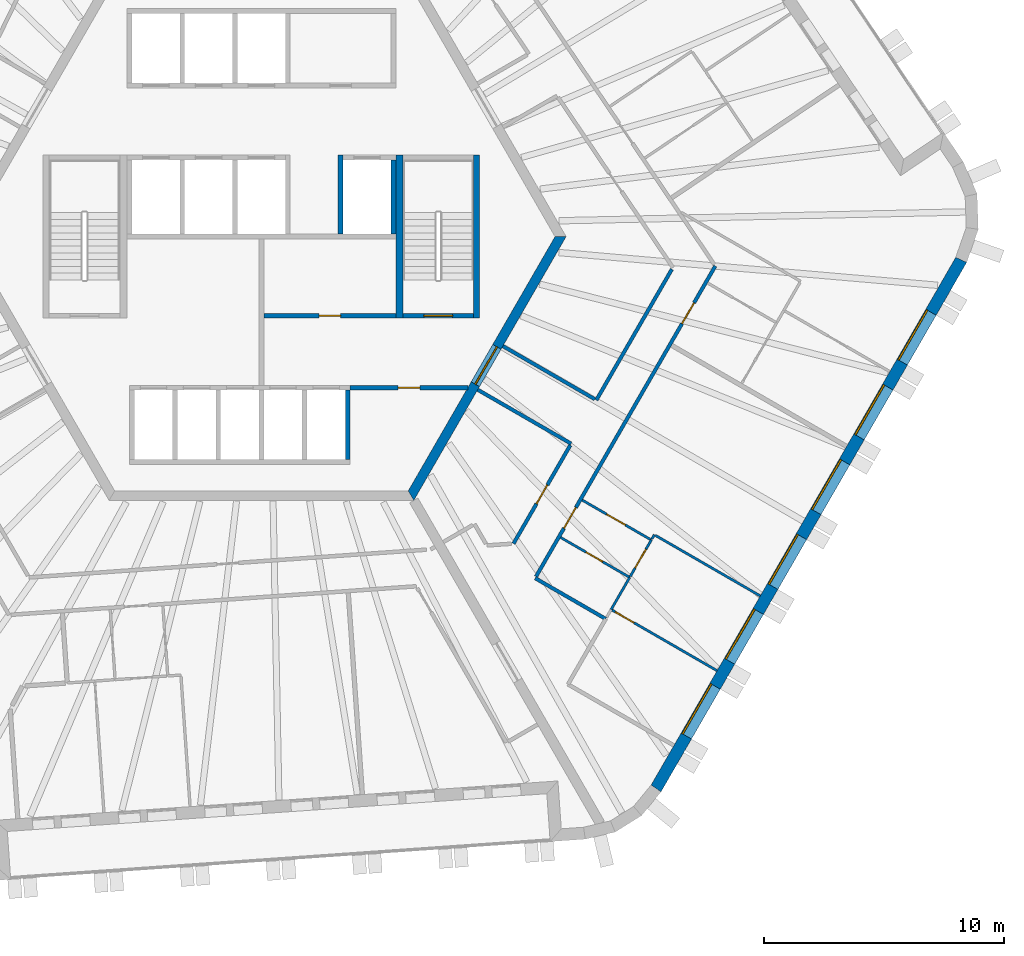
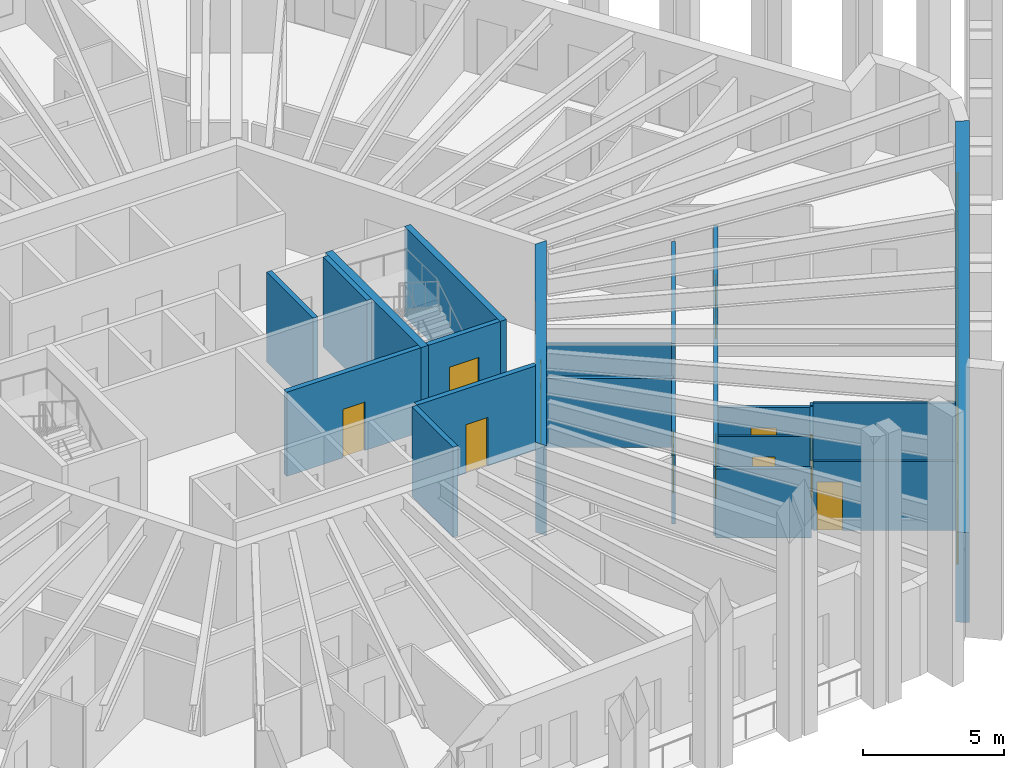
# One storey, part 6 of 12: 23 walls, 11 doors, 6 windows, 17 openings.
"""IFC4 building model written with IfcOpenShell, lengths in metres."""

from ifc_helpers import new_model, si_unit, direction, frame, frame_2d, origin, place, context, subcontext, project, spatial, polyline, rectangle, outline, extrude, material, layer, layer_set, type_object, element, fill, save


model = new_model("IFC4")

# Units and contexts
model_context = context("Model", 3, precision=1e-05, world=origin(), true_north=direction((0.0, 1.0)))
body_context = subcontext(model_context, "Body", "Model", "MODEL_VIEW")
ifc_project = project(units=[si_unit("LENGTHUNIT", "METRE"), si_unit("AREAUNIT", "SQUARE_METRE"), si_unit("VOLUMEUNIT", "CUBIC_METRE"), si_unit("PLANEANGLEUNIT", "RADIAN"), si_unit("MASSUNIT", "GRAM", prefix="KILO")], contexts=[model_context])

# Site, building, storey
site_placement = place(None, origin())
site = spatial("IfcSite", under=ifc_project, at=site_placement, CompositionType="ELEMENT")
building_placement = place(site_placement, origin())
building = spatial("IfcBuilding", under=site, at=building_placement, Name="Tarnside Tower", CompositionType="ELEMENT")
storey_placement = place(building_placement, frame((0.0, 0.0, 291.300048828125)))
storey = spatial("IfcBuildingStorey", under=building, at=storey_placement, Name="L70", CompositionType="ELEMENT", Elevation=291.300048828125)

# Wall, opening, door
ifc_material_1 = material(Name="Gypsum board partition on steel studs", Category="steel")
ifc_layer_1 = layer(ifc_material_1, 0.10009765625)
ifc_layer_set_1 = layer_set([ifc_layer_1], Name="Bathroom wall 100")
wall_type_1 = type_object("IfcWallType", Name="Bathroom wall 100", PredefinedType="PARTITIONING", material=ifc_layer_set_1)
wall_1_placement = place(storey_placement, frame((12.47412109375, -12.544189453125, 0.0), z_axis=(0.0, 0.0, 1.0), x_axis=(0.866002163101, -0.500040251884, 0.0)))
wall_1 = element("IfcWall", 1, at=wall_1_placement, inside=storey, type_object=wall_type_1, Name="Bathroom wall 23144", PredefinedType="PARTITIONING", context=body_context, shape_type="SweptSolid", body=[
    extrude(rectangle(XDim=3.324951171875, YDim=0.10009765625, at=frame_2d((1.66259765625, 0.0))), origin(), (0.0, 0.0, 1.0), 2.98779296875),
])
opening_1_placement = place(wall_1_placement, frame((1.22509765625, 0.0, 0.0)))
opening_1 = element("IfcOpeningElement", 2, at=opening_1_placement, cuts=wall_1, Name="Opening D-B1", PredefinedType="OPENING", context=body_context, shape_type="SweptSolid", body=[
    extrude(rectangle(XDim=0.800048828125, YDim=2.10009765625, at=frame_2d((0.39990234375, 1.050048828125))), frame((0.0, 0.06005859375, 0.0), z_axis=(0.0, -1.0, 0.0), x_axis=(1.0, 0.0, 0.0)), (0.0, 0.0, 1.0), 0.1201171875),
])
ifc_material_2 = material(Name="Timber door leaf", Category="wood")
door_type_1 = type_object("IfcDoorType", Name="Bathroom door 800", OperationType="NOTDEFINED", PredefinedType="DOOR", material=ifc_material_2)
door_1_placement = place(opening_1_placement, origin())
door_1 = element("IfcDoor", 3, at=door_1_placement, inside=storey, type_object=door_type_1, Name="Bathroom door 23040", OperationType="SINGLE_SWING_RIGHT", OverallHeight=2.10009765625, OverallWidth=0.800048828125, PredefinedType="DOOR", context=body_context, shape_type="SweptSolid", body=[
    extrude(rectangle(XDim=0.800048828125, YDim=2.10009765625, at=frame_2d((0.39990234375, 1.050048828125))), frame((0.0, 0.02490234375, 0.0), z_axis=(0.0, -1.0, 0.0), x_axis=(1.0, 0.0, 0.0)), (0.0, 0.0, 1.0), 0.050048828125),
])
fill(opening_1, door_1)

# Wall
wall_2_placement = place(storey_placement, frame((14.579345703125, -15.5478515625, 0.0), z_axis=(0.0, 0.0, 1.0), x_axis=(0.499949632511, 0.866054481515, 0.0)))
element("IfcWall", 4, at=wall_2_placement, inside=storey, type_object=wall_type_1, Name="Bathroom wall 23147", PredefinedType="PARTITIONING", context=body_context, shape_type="SweptSolid", body=[
    extrude(rectangle(XDim=1.550537109375, YDim=0.10009765625, at=frame_2d((0.775390625, 0.0))), origin(), (0.0, 0.0, 1.0), 2.98779296875),
])

# Wall, opening, door
ifc_material_3 = material(Name="Concrete C40/50", Category="concrete")
ifc_layer_2 = layer(ifc_material_3, 0.199951171875)
ifc_layer_set_2 = layer_set([ifc_layer_2], Name="Core room partition 200 C40/50")
wall_type_2 = type_object("IfcWallType", Name="Core room partition 200 C40/50", PredefinedType="PARTITIONING", material=ifc_layer_set_2)
wall_3_placement = place(storey_placement, frame((0.10009765625, -3.300048828125, 0.0), z_axis=(0.0, 0.0, 1.0), x_axis=(1.0, 0.0, 0.0)))
wall_3 = element("IfcWall", 5, at=wall_3_placement, inside=storey, type_object=wall_type_2, Name="L70 core partition R3S1", PredefinedType="PARTITIONING", context=body_context, shape_type="SweptSolid", body=[
    extrude(rectangle(XDim=5.5, YDim=0.199951171875, at=frame_2d((2.75, 0.0))), origin(), (0.0, 0.0, 1.0), 3.64990234375),
])
opening_2_placement = place(wall_3_placement, frame((2.300048828125, 0.0, 0.0)))
opening_2 = element("IfcOpeningElement", 6, at=opening_2_placement, cuts=wall_3, Name="Opening CD-room", PredefinedType="OPENING", context=body_context, shape_type="SweptSolid", body=[
    extrude(rectangle(XDim=0.89990234375, YDim=2.10009765625, at=frame_2d((0.449951171875, 1.050048828125))), frame((0.0, 0.10986328125, 0.0), z_axis=(0.0, -1.0, 0.0), x_axis=(1.0, 0.0, 0.0)), (0.0, 0.0, 1.0), 0.219970703125),
])
ifc_material_4 = material(Name="Steel fire door", Category="steel")
door_type_2 = type_object("IfcDoorType", Name="Room door FD60 900x2100", OperationType="NOTDEFINED", PredefinedType="DOOR", material=ifc_material_4)
door_2_placement = place(opening_2_placement, origin())
door_2 = element("IfcDoor", 7, at=door_2_placement, inside=storey, type_object=door_type_2, Name="L70 core room door SR1", OperationType="SINGLE_SWING_LEFT", OverallHeight=2.10009765625, OverallWidth=0.89990234375, PredefinedType="DOOR", context=body_context, shape_type="SweptSolid", body=[
    extrude(rectangle(XDim=0.89990234375, YDim=2.10009765625, at=frame_2d((0.449951171875, 1.050048828125))), frame((0.0, 0.02490234375, 0.0), z_axis=(0.0, -1.0, 0.0), x_axis=(1.0, 0.0, 0.0)), (0.0, 0.0, 1.0), 0.050048828125),
])
fill(opening_2, door_2)

wall_4_placement = place(storey_placement, frame((3.699951171875, -6.300048828125, 0.0), z_axis=(0.0, 0.0, 1.0), x_axis=(1.0, 0.0, 0.0)))
wall_4 = element("IfcWall", 8, at=wall_4_placement, inside=storey, type_object=wall_type_2, Name="L70 core partition R4X", PredefinedType="PARTITIONING", context=body_context, shape_type="SweptSolid", body=[
    extrude(rectangle(XDim=4.902587890625, YDim=0.199951171875, at=frame_2d((2.451171875, 0.0))), origin(), (0.0, 0.0, 1.0), 3.64990234375),
])
opening_3_placement = place(wall_4_placement, frame((2.001220703125, 0.0, 0.0)))
opening_3 = element("IfcOpeningElement", 9, at=opening_3_placement, cuts=wall_4, Name="Opening CD-room", PredefinedType="OPENING", context=body_context, shape_type="SweptSolid", body=[
    extrude(rectangle(XDim=0.89990234375, YDim=2.10009765625, at=frame_2d((0.449951171875, 1.050048828125))), frame((0.0, 0.10986328125, 0.0), z_axis=(0.0, -1.0, 0.0), x_axis=(1.0, 0.0, 0.0)), (0.0, 0.0, 1.0), 0.219970703125),
])
door_3_placement = place(opening_3_placement, origin())
door_3 = element("IfcDoor", 10, at=door_3_placement, inside=storey, type_object=door_type_2, Name="L70 core room door RX", OperationType="SINGLE_SWING_LEFT", OverallHeight=2.10009765625, OverallWidth=0.89990234375, PredefinedType="DOOR", context=body_context, shape_type="SweptSolid", body=[
    extrude(rectangle(XDim=0.89990234375, YDim=2.10009765625, at=frame_2d((0.449951171875, 1.050048828125))), frame((0.0, 0.02490234375, 0.0), z_axis=(0.0, -1.0, 0.0), x_axis=(1.0, 0.0, 0.0)), (0.0, 0.0, 1.0), 0.050048828125),
])
fill(opening_3, door_3)

ifc_material_5 = material(Name="Concrete C60/75", Category="concrete")
ifc_layer_3 = layer(ifc_material_5, 0.39990234375)
ifc_layer_set_3 = layer_set([ifc_layer_3], Name="Core wall Z3 400 C60/75")
wall_type_3 = type_object("IfcWallType", Name="Core wall Z3 400 C60/75", PredefinedType="SHEAR", material=ifc_layer_set_3)
wall_5_placement = place(storey_placement, frame((6.2353515625, -10.800048828125, -0.150146484375), z_axis=(0.0, 0.0, 1.0), x_axis=(0.499996419489, 0.866027470984, 0.0)))
wall_5 = element("IfcWall", 11, at=wall_5_placement, inside=storey, type_object=wall_type_3, Name="L70 core wall face 5", PredefinedType="SHEAR", context=body_context, shape_type="SweptSolid", body=[
    extrude(outline(polyline([(-0.115478515625, -0.199951171875), (12.586181640625, -0.199951171875), (12.355224609375, 0.199951171875), (0.115478515625, 0.199951171875), (-0.115478515625, -0.199951171875)])), origin(), (0.0, 0.0, 1.0), 3.900146484375),
])
opening_4_placement = place(wall_5_placement, frame((5.3642578125, 0.0, 0.14990234375)))
opening_4 = element("IfcOpeningElement", 12, at=opening_4_placement, cuts=wall_5, Name="Opening CD-FFL", PredefinedType="OPENING", context=body_context, shape_type="SweptSolid", body=[
    extrude(rectangle(XDim=1.800048828125, YDim=2.39990234375, at=frame_2d((0.89990234375, 1.199951171875))), frame((0.0, 0.2099609375, 0.0), z_axis=(0.0, -1.0, 0.0), x_axis=(1.0, 0.0, 0.0)), (0.0, 0.0, 1.0), 0.419921875),
])
door_type_3 = type_object("IfcDoorType", Name="Firefighting lobby double door FD60S 1800x2400", OperationType="NOTDEFINED", PredefinedType="DOOR", material=ifc_material_4)
door_4_placement = place(opening_4_placement, origin())
door_4 = element("IfcDoor", 13, at=door_4_placement, inside=storey, type_object=door_type_3, Name="L70 core door P4", OperationType="DOUBLE_DOOR_SINGLE_SWING", OverallHeight=2.39990234375, OverallWidth=1.800048828125, PredefinedType="DOOR", context=body_context, shape_type="SweptSolid", body=[
    extrude(rectangle(XDim=1.800048828125, YDim=2.39990234375, at=frame_2d((0.89990234375, 1.199951171875))), frame((0.0, 0.02490234375, 0.0), z_axis=(0.0, -1.0, 0.0), x_axis=(1.0, 0.0, 0.0)), (0.0, 0.0, 1.0), 0.050048828125),
])
fill(opening_4, door_4)

# Wall, openings, doors
ifc_layer_4 = layer(ifc_material_1, 0.14990234375)
ifc_layer_set_4 = layer_set([ifc_layer_4], Name="Corridor wall 150 EI 60")
wall_type_4 = type_object("IfcWallType", Name="Corridor wall 150 EI 60", PredefinedType="PARTITIONING", material=ifc_layer_set_4)
wall_6_placement = place(storey_placement, frame((11.446533203125, -14.173828125, 0.0), z_axis=(0.0, 0.0, 1.0), x_axis=(0.500003306199, 0.866023494941, 0.0)))
wall_6 = element("IfcWall", 14, at=wall_6_placement, inside=storey, type_object=wall_type_4, Name="Corridor wall 23053", PredefinedType="PARTITIONING", context=body_context, shape_type="SweptSolid", body=[
    extrude(rectangle(XDim=14.94921875, YDim=0.14990234375, at=frame_2d((7.474609375, 0.0))), origin(), (0.0, 0.0, 1.0), 2.98779296875),
])
opening_5_placement = place(wall_6_placement, frame((2.324951171875, 0.0, 0.0)))
opening_5 = element("IfcOpeningElement", 15, at=opening_5_placement, cuts=wall_6, Name="Opening D-E1", PredefinedType="OPENING", context=body_context, shape_type="SweptSolid", body=[
    extrude(rectangle(XDim=1.0, YDim=2.10009765625, at=frame_2d((0.5, 1.050048828125))), frame((0.0, 0.0849609375, 0.0), z_axis=(0.0, -1.0, 0.0), x_axis=(1.0, 0.0, 0.0)), (0.0, 0.0, 1.0), 0.169921875),
])
opening_6_placement = place(wall_6_placement, frame((12.176513671875, 0.0, 0.0)))
opening_6 = element("IfcOpeningElement", 16, at=opening_6_placement, cuts=wall_6, Name="Opening D-E1", PredefinedType="OPENING", context=body_context, shape_type="SweptSolid", body=[
    extrude(rectangle(XDim=1.0, YDim=2.10009765625, at=frame_2d((0.5, 1.050048828125))), frame((0.0, 0.0849609375, 0.0), z_axis=(0.0, -1.0, 0.0), x_axis=(1.0, 0.0, 0.0)), (0.0, 0.0, 1.0), 0.169921875),
])
door_type_4 = type_object("IfcDoorType", Name="Unit entrance door 1000 FD30S", OperationType="NOTDEFINED", PredefinedType="DOOR", material=ifc_material_2)
door_5_placement = place(opening_5_placement, origin())
door_5 = element("IfcDoor", 17, at=door_5_placement, inside=storey, type_object=door_type_4, Name="Unit door 23039", OperationType="SINGLE_SWING_LEFT", OverallHeight=2.10009765625, OverallWidth=1.0, PredefinedType="DOOR", context=body_context, shape_type="SweptSolid", body=[
    extrude(rectangle(XDim=1.0, YDim=2.10009765625, at=frame_2d((0.5, 1.050048828125))), frame((0.0, 0.02490234375, 0.0), z_axis=(0.0, -1.0, 0.0), x_axis=(1.0, 0.0, 0.0)), (0.0, 0.0, 1.0), 0.050048828125),
])
fill(opening_5, door_5)
door_6_placement = place(opening_6_placement, origin())
door_6 = element("IfcDoor", 18, at=door_6_placement, inside=storey, type_object=door_type_4, Name="Unit door 23046", OperationType="SINGLE_SWING_LEFT", OverallHeight=2.10009765625, OverallWidth=1.0, PredefinedType="DOOR", context=body_context, shape_type="SweptSolid", body=[
    extrude(rectangle(XDim=1.0, YDim=2.10009765625, at=frame_2d((0.5, 1.050048828125))), frame((0.0, 0.02490234375, 0.0), z_axis=(0.0, -1.0, 0.0), x_axis=(1.0, 0.0, 0.0)), (0.0, 0.0, 1.0), 0.050048828125),
])
fill(opening_6, door_6)

# Walls
wall_7_placement = place(storey_placement, frame((14.353515625, -15.938720703125, 0.0), z_axis=(0.0, 0.0, 1.0), x_axis=(-0.866020560687, 0.500008388397, 0.0)))
element("IfcWall", 19, at=wall_7_placement, inside=storey, type_object=wall_type_4, Name="Corridor wall 23055", PredefinedType="PARTITIONING", context=body_context, shape_type="SweptSolid", body=[
    extrude(rectangle(XDim=3.39990234375, YDim=0.14990234375, at=frame_2d((1.699951171875, 0.0))), origin(), (0.0, 0.0, 1.0), 2.98779296875),
])
wall_8_placement = place(storey_placement, frame((17.11181640625, -1.361572265625, 0.0), z_axis=(0.0, 0.0, 1.0), x_axis=(-0.49999985423, -0.866025487945, 0.0)))
element("IfcWall", 20, at=wall_8_placement, inside=storey, type_object=wall_type_4, Name="Corridor wall 23071", PredefinedType="PARTITIONING", context=body_context, shape_type="SweptSolid", body=[
    extrude(rectangle(XDim=6.2978515625, YDim=0.14990234375, at=frame_2d((3.14892578125, 0.0))), origin(), (0.0, 0.0, 1.0), 2.98779296875),
])
wall_9_placement = place(storey_placement, frame((13.89794921875, -6.778076171875, 0.0), z_axis=(0.0, 0.0, 1.0), x_axis=(-0.866041342403, 0.499972392486, 0.0)))
element("IfcWall", 21, at=wall_9_placement, inside=storey, type_object=wall_type_4, Name="Corridor wall 23072", PredefinedType="PARTITIONING", context=body_context, shape_type="SweptSolid", body=[
    extrude(rectangle(XDim=4.425048828125, YDim=0.14990234375, at=frame_2d((2.21240234375, 0.0))), origin(), (0.0, 0.0, 1.0), 2.98779296875),
])
wall_10_placement = place(storey_placement, frame((9.015625, -6.38427734375, 0.0), z_axis=(0.0, 0.0, 1.0), x_axis=(0.866031096941, -0.499990139034, 0.0)))
element("IfcWall", 22, at=wall_10_placement, inside=storey, type_object=wall_type_4, Name="Corridor wall 23073", PredefinedType="PARTITIONING", context=body_context, shape_type="SweptSolid", body=[
    extrude(rectangle(XDim=4.5, YDim=0.14990234375, at=frame_2d((2.25, 0.0))), origin(), (0.0, 0.0, 1.0), 2.98779296875),
])

# Wall, opening, door
wall_11_placement = place(storey_placement, frame((12.875244140625, -8.69921875, 0.0), z_axis=(0.0, 0.0, 1.0), x_axis=(-0.49999482868, -0.866028389427, 0.0)))
wall_11 = element("IfcWall", 23, at=wall_11_placement, inside=storey, type_object=wall_type_4, Name="Corridor wall 23074", PredefinedType="PARTITIONING", context=body_context, shape_type="SweptSolid", body=[
    extrude(rectangle(XDim=4.73291015625, YDim=0.14990234375, at=frame_2d((2.366455078125, 0.0))), origin(), (0.0, 0.0, 1.0), 2.98779296875),
])
opening_7_placement = place(wall_11_placement, frame((1.91650390625, 0.0, 0.0)))
opening_7 = element("IfcOpeningElement", 24, at=opening_7_placement, cuts=wall_11, Name="Opening D-S1", PredefinedType="OPENING", context=body_context, shape_type="SweptSolid", body=[
    extrude(rectangle(XDim=0.89990234375, YDim=2.10009765625, at=frame_2d((0.449951171875, 1.050048828125))), frame((0.0, 0.0849609375, 0.0), z_axis=(0.0, -1.0, 0.0), x_axis=(1.0, 0.0, 0.0)), (0.0, 0.0, 1.0), 0.169921875),
])
door_type_5 = type_object("IfcDoorType", Name="Service room door 900 FD30S", OperationType="NOTDEFINED", PredefinedType="DOOR", material=ifc_material_2)
door_7_placement = place(opening_7_placement, origin())
door_7 = element("IfcDoor", 25, at=door_7_placement, inside=storey, type_object=door_type_5, Name="Service door 23063", OperationType="SINGLE_SWING_LEFT", OverallHeight=2.10009765625, OverallWidth=0.89990234375, PredefinedType="DOOR", context=body_context, shape_type="SweptSolid", body=[
    extrude(rectangle(XDim=0.89990234375, YDim=2.10009765625, at=frame_2d((0.449951171875, 1.050048828125))), frame((0.0, 0.02490234375, 0.0), z_axis=(0.0, -1.0, 0.0), x_axis=(1.0, 0.0, 0.0)), (0.0, 0.0, 1.0), 0.050048828125),
])
fill(opening_7, door_7)

# Walls
ifc_layer_5 = layer(ifc_material_3, 0.199951171875)
ifc_layer_set_5 = layer_set([ifc_layer_5], Name="Lift shaft wall 200 C40/50")
wall_type_5 = type_object("IfcWallType", Name="Lift shaft wall 200 C40/50", PredefinedType="SHEAR", material=ifc_layer_set_5)
wall_12_placement = place(storey_placement, frame((3.300048828125, 0.10009765625, -0.25), z_axis=(0.0, 0.0, 1.0), x_axis=(0.0, 1.0, 0.0)))
element("IfcWall", 26, at=wall_12_placement, inside=storey, type_object=wall_type_5, Name="L70 lift shaft partition R25", PredefinedType="SHEAR", context=body_context, shape_type="SweptSolid", body=[
    extrude(rectangle(XDim=3.2998046875, YDim=0.199951171875, at=frame_2d((1.64990234375, 0.0))), origin(), (0.0, 0.0, 1.0), 3.89990234375),
])
wall_13_placement = place(storey_placement, frame((5.5, 0.10009765625, -0.25), z_axis=(0.0, 0.0, 1.0), x_axis=(0.0, 1.0, 0.0)))
element("IfcWall", 27, at=wall_13_placement, inside=storey, type_object=wall_type_5, Name="L70 lift shaft partition R26", PredefinedType="SHEAR", context=body_context, shape_type="SweptSolid", body=[
    extrude(rectangle(XDim=3.099853515625, YDim=0.199951171875, at=frame_2d((1.5498046875, 0.0))), origin(), (0.0, 0.0, 1.0), 3.89990234375),
])
wall_14_placement = place(storey_placement, frame((3.60009765625, -9.300048828125, -0.25), z_axis=(0.0, 0.0, 1.0), x_axis=(0.0, 1.0, 0.0)))
element("IfcWall", 28, at=wall_14_placement, inside=storey, type_object=wall_type_5, Name="L70 lift shaft partition R46", PredefinedType="SHEAR", context=body_context, shape_type="SweptSolid", body=[
    extrude(rectangle(XDim=2.900146484375, YDim=0.199951171875, at=frame_2d((1.4501953125, 0.0))), origin(), (0.0, 0.0, 1.0), 3.89990234375),
])

# Wall, opening, door
wall_15_placement = place(storey_placement, frame((5.89990234375, -3.300048828125, -0.25), z_axis=(0.0, 0.0, 1.0), x_axis=(1.0, 0.0, 0.0)))
wall_15 = element("IfcWall", 29, at=wall_15_placement, inside=storey, type_object=wall_type_5, Name="L70 stair 1 enclosure cap wall s", PredefinedType="SHEAR", context=body_context, shape_type="SweptSolid", body=[
    extrude(rectangle(XDim=2.9501953125, YDim=0.199951171875, at=frame_2d((1.47509765625, 0.0))), origin(), (0.0, 0.0, 1.0), 3.89990234375),
])
opening_8_placement = place(wall_15_placement, frame((0.875, 0.0, 0.25)))
opening_8 = element("IfcOpeningElement", 30, at=opening_8_placement, cuts=wall_15, Name="Opening CD-STR", PredefinedType="OPENING", context=body_context, shape_type="SweptSolid", body=[
    extrude(rectangle(XDim=1.199951171875, YDim=2.39990234375, at=frame_2d((0.60009765625, 1.199951171875))), frame((0.0, 0.10986328125, 0.0), z_axis=(0.0, -1.0, 0.0), x_axis=(1.0, 0.0, 0.0)), (0.0, 0.0, 1.0), 0.219970703125),
])
door_type_6 = type_object("IfcDoorType", Name="Stair door FD60S 1200x2400", OperationType="NOTDEFINED", PredefinedType="DOOR", material=ifc_material_4)
door_8_placement = place(opening_8_placement, origin())
door_8 = element("IfcDoor", 31, at=door_8_placement, inside=storey, type_object=door_type_6, Name="L70 stair 1 door", OperationType="SINGLE_SWING_LEFT", OverallHeight=2.39990234375, OverallWidth=1.199951171875, PredefinedType="DOOR", context=body_context, shape_type="SweptSolid", body=[
    extrude(rectangle(XDim=1.199951171875, YDim=2.39990234375, at=frame_2d((0.60009765625, 1.199951171875))), frame((0.0, 0.02490234375, 0.0), z_axis=(0.0, -1.0, 0.0), x_axis=(1.0, 0.0, 0.0)), (0.0, 0.0, 1.0), 0.050048828125),
])
fill(opening_8, door_8)

ifc_layer_6 = layer(ifc_material_1, 0.10009765625)
ifc_layer_set_6 = layer_set([ifc_layer_6], Name="Partition 100")
wall_type_6 = type_object("IfcWallType", Name="Partition 100", PredefinedType="PARTITIONING", material=ifc_layer_set_6)
wall_16_placement = place(storey_placement, frame((13.3740234375, -10.9853515625, 0.0), z_axis=(0.0, 0.0, 1.0), x_axis=(0.866020521143, -0.500008456887, 0.0)))
wall_16 = element("IfcWall", 32, at=wall_16_placement, inside=storey, type_object=wall_type_6, Name="Partition wall 23139", PredefinedType="PARTITIONING", context=body_context, shape_type="SweptSolid", body=[
    extrude(rectangle(XDim=3.3251953125, YDim=0.10009765625, at=frame_2d((1.66259765625, 0.0))), origin(), (0.0, 0.0, 1.0), 2.98779296875),
])
opening_9_placement = place(wall_16_placement, frame((1.175048828125, 0.0, 0.0)))
opening_9 = element("IfcOpeningElement", 33, at=opening_9_placement, cuts=wall_16, Name="Opening D-I1", PredefinedType="OPENING", context=body_context, shape_type="SweptSolid", body=[
    extrude(rectangle(XDim=0.89990234375, YDim=2.10009765625, at=frame_2d((0.449951171875, 1.050048828125))), frame((0.0, 0.06005859375, 0.0), z_axis=(0.0, -1.0, 0.0), x_axis=(1.0, 0.0, 0.0)), (0.0, 0.0, 1.0), 0.1201171875),
])
door_type_7 = type_object("IfcDoorType", Name="Internal door 900", OperationType="NOTDEFINED", PredefinedType="DOOR", material=ifc_material_2)
door_9_placement = place(opening_9_placement, origin())
door_9 = element("IfcDoor", 34, at=door_9_placement, inside=storey, type_object=door_type_7, Name="Internal door 23041", OperationType="SINGLE_SWING_RIGHT", OverallHeight=2.10009765625, OverallWidth=0.89990234375, PredefinedType="DOOR", context=body_context, shape_type="SweptSolid", body=[
    extrude(rectangle(XDim=0.89990234375, YDim=2.10009765625, at=frame_2d((0.449951171875, 1.050048828125))), frame((0.0, 0.02490234375, 0.0), z_axis=(0.0, -1.0, 0.0), x_axis=(1.0, 0.0, 0.0)), (0.0, 0.0, 1.0), 0.050048828125),
])
fill(opening_9, door_9)

# Walls
wall_17_placement = place(storey_placement, frame((16.277587890625, -12.6064453125, 0.0), z_axis=(0.0, 0.0, 1.0), x_axis=(0.500137716533, 0.865945878506, 0.0)))
element("IfcWall", 35, at=wall_17_placement, inside=storey, type_object=wall_type_6, Name="Partition wall 23140", PredefinedType="PARTITIONING", context=body_context, shape_type="SweptSolid", body=[
    extrude(rectangle(XDim=0.20361328125, YDim=0.10009765625, at=frame_2d((0.101806640625, 0.0))), origin(), (0.0, 0.0, 1.0), 2.98779296875),
])
wall_18_placement = place(storey_placement, frame((16.422607421875, -12.455078125, 0.0), z_axis=(0.0, 0.0, 1.0), x_axis=(0.866018134068, -0.500012591307, 0.0)))
element("IfcWall", 36, at=wall_18_placement, inside=storey, type_object=wall_type_6, Name="Partition wall 23141", PredefinedType="PARTITIONING", context=body_context, shape_type="SweptSolid", body=[
    extrude(rectangle(XDim=5.050048828125, YDim=0.10009765625, at=frame_2d((2.52490234375, 0.0))), origin(), (0.0, 0.0, 1.0), 2.98779296875),
])

# Wall, opening, door
wall_19_placement = place(storey_placement, frame((15.377685546875, -14.165283203125, 0.0), z_axis=(0.0, 0.0, 1.0), x_axis=(0.499971461383, 0.866041879935, 0.0)))
wall_19 = element("IfcWall", 37, at=wall_19_placement, inside=storey, type_object=wall_type_6, Name="Partition wall 23145", PredefinedType="PARTITIONING", context=body_context, shape_type="SweptSolid", body=[
    extrude(rectangle(XDim=1.75390625, YDim=0.10009765625, at=frame_2d((0.876953125, 0.0))), origin(), (0.0, 0.0, 1.0), 2.98779296875),
])
opening_10_placement = place(wall_19_placement, frame((0.402099609375, 0.0, 0.0)))
opening_10 = element("IfcOpeningElement", 38, at=opening_10_placement, cuts=wall_19, Name="Opening D-I1", PredefinedType="OPENING", context=body_context, shape_type="SweptSolid", body=[
    extrude(rectangle(XDim=0.89990234375, YDim=2.10009765625, at=frame_2d((0.449951171875, 1.050048828125))), frame((0.0, 0.06005859375, 0.0), z_axis=(0.0, -1.0, 0.0), x_axis=(1.0, 0.0, 0.0)), (0.0, 0.0, 1.0), 0.1201171875),
])
door_10_placement = place(opening_10_placement, origin())
door_10 = element("IfcDoor", 39, at=door_10_placement, inside=storey, type_object=door_type_7, Name="Internal door 23045", OperationType="SINGLE_SWING_RIGHT", OverallHeight=2.10009765625, OverallWidth=0.89990234375, PredefinedType="DOOR", context=body_context, shape_type="SweptSolid", body=[
    extrude(rectangle(XDim=0.89990234375, YDim=2.10009765625, at=frame_2d((0.449951171875, 1.050048828125))), frame((0.0, 0.02490234375, 0.0), z_axis=(0.0, -1.0, 0.0), x_axis=(1.0, 0.0, 0.0)), (0.0, 0.0, 1.0), 0.050048828125),
])
fill(opening_10, door_10)

wall_20_placement = place(storey_placement, frame((18.99609375, -18.097900390625, 0.0), z_axis=(0.0, 0.0, 1.0), x_axis=(-0.866039067339, 0.499976333282, 0.0)))
wall_20 = element("IfcWall", 40, at=wall_20_placement, inside=storey, type_object=wall_type_6, Name="Partition wall 23148", PredefinedType="PARTITIONING", context=body_context, shape_type="SweptSolid", body=[
    extrude(rectangle(XDim=5.050048828125, YDim=0.10009765625, at=frame_2d((2.52490234375, 0.0))), origin(), (0.0, 0.0, 1.0), 2.98779296875),
])
opening_11_placement = place(wall_20_placement, frame((4.0, 0.0, 0.0)))
opening_11 = element("IfcOpeningElement", 41, at=opening_11_placement, cuts=wall_20, Name="Opening D-I1", PredefinedType="OPENING", context=body_context, shape_type="SweptSolid", body=[
    extrude(rectangle(XDim=0.89990234375, YDim=2.10009765625, at=frame_2d((0.449951171875, 1.050048828125))), frame((0.0, 0.06005859375, 0.0), z_axis=(0.0, -1.0, 0.0), x_axis=(1.0, 0.0, 0.0)), (0.0, 0.0, 1.0), 0.1201171875),
])
door_11_placement = place(opening_11_placement, origin())
door_11 = element("IfcDoor", 42, at=door_11_placement, inside=storey, type_object=door_type_7, Name="Internal door 23044", OperationType="SINGLE_SWING_RIGHT", OverallHeight=2.10009765625, OverallWidth=0.89990234375, PredefinedType="DOOR", context=body_context, shape_type="SweptSolid", body=[
    extrude(rectangle(XDim=0.89990234375, YDim=2.10009765625, at=frame_2d((0.449951171875, 1.050048828125))), frame((0.0, 0.02490234375, 0.0), z_axis=(0.0, -1.0, 0.0), x_axis=(1.0, 0.0, 0.0)), (0.0, 0.0, 1.0), 0.050048828125),
])
fill(opening_11, door_11)

# Walls
ifc_layer_7 = layer(ifc_material_3, 0.25)
ifc_layer_set_7 = layer_set([ifc_layer_7], Name="Stair enclosure wall 250 C40/50")
wall_type_7 = type_object("IfcWallType", Name="Stair enclosure wall 250 C40/50", PredefinedType="SHEAR", material=ifc_layer_set_7)
wall_21_placement = place(storey_placement, frame((8.97509765625, -3.39990234375, -0.25), z_axis=(0.0, 0.0, 1.0), x_axis=(0.0, 1.0, 0.0)))
element("IfcWall", 43, at=wall_21_placement, inside=storey, type_object=wall_type_7, Name="L70 stair 1 enclosure wall outer", PredefinedType="SHEAR", context=body_context, shape_type="SweptSolid", body=[
    extrude(rectangle(XDim=6.7998046875, YDim=0.25, at=frame_2d((3.39990234375, 0.0))), origin(), (0.0, 0.0, 1.0), 3.89990234375),
])
ifc_layer_8 = layer(ifc_material_3, 0.300048828125)
ifc_layer_set_8 = layer_set([ifc_layer_8], Name="Stair enclosure wall 300 C40/50")
wall_type_8 = type_object("IfcWallType", Name="Stair enclosure wall 300 C40/50", PredefinedType="SHEAR", material=ifc_layer_set_8)
wall_22_placement = place(storey_placement, frame((5.75, -3.39990234375, -0.25), z_axis=(0.0, 0.0, 1.0), x_axis=(0.0, 1.0, 0.0)))
element("IfcWall", 44, at=wall_22_placement, inside=storey, type_object=wall_type_8, Name="L70 stair 1 enclosure wall inner", PredefinedType="SHEAR", context=body_context, shape_type="SweptSolid", body=[
    extrude(rectangle(XDim=6.7998046875, YDim=0.300048828125, at=frame_2d((3.39990234375, 0.0))), origin(), (0.0, 0.0, 1.0), 3.89990234375),
])

# Wall, openings, windows
ifc_material_6 = material(Name="Facing brick", Category="masonry")
ifc_layer_9 = layer(ifc_material_6, 0.10205078125)
ifc_material_7 = material(Name="Concrete C60/75 precast", Category="concrete")
ifc_layer_10 = layer(ifc_material_7, 0.298095703125)
ifc_material_8 = material(Name="Mineral wool insulation")
ifc_layer_11 = layer(ifc_material_8, 0.10009765625)
ifc_layer_set_9 = layer_set([ifc_layer_9, ifc_layer_10, ifc_layer_11], Name="Tube wall 500 brick faced")
wall_type_9 = type_object("IfcWallType", Name="Tube wall 500 brick faced", PredefinedType="SOLIDWALL", material=ifc_layer_set_9)
wall_23_placement = place(storey_placement, frame((16.451416015625, -23.00537109375, -0.150146484375), z_axis=(0.0, 0.0, 1.0), x_axis=(0.500003737743, 0.866023245787, 0.0)))
wall_23 = element("IfcWall", 45, at=wall_23_placement, inside=storey, type_object=wall_type_9, Name="Tube wall L70 F5 flush 24", PredefinedType="SOLIDWALL", context=body_context, shape_type="SweptSolid", body=[
    extrude(outline(polyline([(-0.0205078125, -0.25), (25.468017578125, -0.25), (25.421142578125, 0.25), (0.0205078125, 0.25), (-0.0205078125, -0.25)])), origin(), (0.0, 0.0, 1.0), 3.900146484375),
])
opening_12_placement = place(wall_23_placement, frame((2.5224609375, 0.0, 0.75)))
opening_12 = element("IfcOpeningElement", 46, at=opening_12_placement, cuts=wall_23, Name="Opening WR", PredefinedType="OPENING", context=body_context, shape_type="SweptSolid", body=[
    extrude(rectangle(XDim=2.39990234375, YDim=2.699951171875, at=frame_2d((1.199951171875, 1.35009765625))), frame((0.0, 0.260009765625, 0.0), z_axis=(0.0, -1.0, 0.0), x_axis=(1.0, 0.0, 0.0)), (0.0, 0.0, 1.0), 0.52001953125),
])
opening_13_placement = place(wall_23_placement, frame((6.122314453125, 0.0, 0.75)))
opening_13 = element("IfcOpeningElement", 47, at=opening_13_placement, cuts=wall_23, Name="Opening WR", PredefinedType="OPENING", context=body_context, shape_type="SweptSolid", body=[
    extrude(rectangle(XDim=2.39990234375, YDim=2.699951171875, at=frame_2d((1.199951171875, 1.35009765625))), frame((0.0, 0.260009765625, 0.0), z_axis=(0.0, -1.0, 0.0), x_axis=(1.0, 0.0, 0.0)), (0.0, 0.0, 1.0), 0.52001953125),
])
opening_14_placement = place(wall_23_placement, frame((9.722412109375, 0.0, 0.75)))
opening_14 = element("IfcOpeningElement", 48, at=opening_14_placement, cuts=wall_23, Name="Opening WR", PredefinedType="OPENING", context=body_context, shape_type="SweptSolid", body=[
    extrude(rectangle(XDim=2.39990234375, YDim=2.699951171875, at=frame_2d((1.199951171875, 1.35009765625))), frame((0.0, 0.260009765625, 0.0), z_axis=(0.0, -1.0, 0.0), x_axis=(1.0, 0.0, 0.0)), (0.0, 0.0, 1.0), 0.52001953125),
])
opening_15_placement = place(wall_23_placement, frame((13.322509765625, 0.0, 0.75)))
opening_15 = element("IfcOpeningElement", 49, at=opening_15_placement, cuts=wall_23, Name="Opening WR", PredefinedType="OPENING", context=body_context, shape_type="SweptSolid", body=[
    extrude(rectangle(XDim=2.39990234375, YDim=2.699951171875, at=frame_2d((1.199951171875, 1.35009765625))), frame((0.0, 0.260009765625, 0.0), z_axis=(0.0, -1.0, 0.0), x_axis=(1.0, 0.0, 0.0)), (0.0, 0.0, 1.0), 0.52001953125),
])
opening_16_placement = place(wall_23_placement, frame((16.92236328125, 0.0, 0.75)))
opening_16 = element("IfcOpeningElement", 50, at=opening_16_placement, cuts=wall_23, Name="Opening WR", PredefinedType="OPENING", context=body_context, shape_type="SweptSolid", body=[
    extrude(rectangle(XDim=2.39990234375, YDim=2.699951171875, at=frame_2d((1.199951171875, 1.35009765625))), frame((0.0, 0.260009765625, 0.0), z_axis=(0.0, -1.0, 0.0), x_axis=(1.0, 0.0, 0.0)), (0.0, 0.0, 1.0), 0.52001953125),
])
opening_17_placement = place(wall_23_placement, frame((20.5224609375, 0.0, 0.75)))
opening_17 = element("IfcOpeningElement", 51, at=opening_17_placement, cuts=wall_23, Name="Opening WR", PredefinedType="OPENING", context=body_context, shape_type="SweptSolid", body=[
    extrude(rectangle(XDim=2.39990234375, YDim=2.699951171875, at=frame_2d((1.199951171875, 1.35009765625))), frame((0.0, 0.260009765625, 0.0), z_axis=(0.0, -1.0, 0.0), x_axis=(1.0, 0.0, 0.0)), (0.0, 0.0, 1.0), 0.52001953125),
])
ifc_material_9 = material(Name="Aluminium-framed double glazing", Category="aluminium")
window_type = type_object("IfcWindowType", Name="Residence window 2400 x 2700", PartitioningType="DOUBLE_PANEL_VERTICAL", PredefinedType="WINDOW", material=ifc_material_9)
window_1_placement = place(opening_12_placement, frame((0.0, 0.179931640625, 0.0)))
window_1 = element("IfcWindow", 52, at=window_1_placement, inside=storey, type_object=window_type, Name="E.WN.L70.F5.00", OverallHeight=2.699951171875, OverallWidth=2.39990234375, PartitioningType="DOUBLE_PANEL_VERTICAL", PredefinedType="WINDOW", context=body_context, shape_type="SweptSolid", body=[
    extrude(rectangle(XDim=2.39990234375, YDim=2.699951171875, at=frame_2d((1.199951171875, 1.35009765625))), frame((0.0, 0.030029296875, 0.0), z_axis=(0.0, -1.0, 0.0), x_axis=(1.0, 0.0, 0.0)), (0.0, 0.0, 1.0), 0.06005859375),
])
fill(opening_12, window_1)
window_2_placement = place(opening_13_placement, frame((0.0, 0.179931640625, 0.0)))
window_2 = element("IfcWindow", 53, at=window_2_placement, inside=storey, type_object=window_type, Name="E.WN.L70.F5.01", OverallHeight=2.699951171875, OverallWidth=2.39990234375, PartitioningType="DOUBLE_PANEL_VERTICAL", PredefinedType="WINDOW", context=body_context, shape_type="SweptSolid", body=[
    extrude(rectangle(XDim=2.39990234375, YDim=2.699951171875, at=frame_2d((1.199951171875, 1.35009765625))), frame((0.0, 0.030029296875, 0.0), z_axis=(0.0, -1.0, 0.0), x_axis=(1.0, 0.0, 0.0)), (0.0, 0.0, 1.0), 0.06005859375),
])
fill(opening_13, window_2)
window_3_placement = place(opening_14_placement, frame((0.0, 0.179931640625, 0.0)))
window_3 = element("IfcWindow", 54, at=window_3_placement, inside=storey, type_object=window_type, Name="E.WN.L70.F5.02", OverallHeight=2.699951171875, OverallWidth=2.39990234375, PartitioningType="DOUBLE_PANEL_VERTICAL", PredefinedType="WINDOW", context=body_context, shape_type="SweptSolid", body=[
    extrude(rectangle(XDim=2.39990234375, YDim=2.699951171875, at=frame_2d((1.199951171875, 1.35009765625))), frame((0.0, 0.030029296875, 0.0), z_axis=(0.0, -1.0, 0.0), x_axis=(1.0, 0.0, 0.0)), (0.0, 0.0, 1.0), 0.06005859375),
])
fill(opening_14, window_3)
window_4_placement = place(opening_15_placement, frame((0.0, 0.179931640625, 0.0)))
window_4 = element("IfcWindow", 55, at=window_4_placement, inside=storey, type_object=window_type, Name="E.WN.L70.F5.03", OverallHeight=2.699951171875, OverallWidth=2.39990234375, PartitioningType="DOUBLE_PANEL_VERTICAL", PredefinedType="WINDOW", context=body_context, shape_type="SweptSolid", body=[
    extrude(rectangle(XDim=2.39990234375, YDim=2.699951171875, at=frame_2d((1.199951171875, 1.35009765625))), frame((0.0, 0.030029296875, 0.0), z_axis=(0.0, -1.0, 0.0), x_axis=(1.0, 0.0, 0.0)), (0.0, 0.0, 1.0), 0.06005859375),
])
fill(opening_15, window_4)
window_5_placement = place(opening_16_placement, frame((0.0, 0.179931640625, 0.0)))
window_5 = element("IfcWindow", 56, at=window_5_placement, inside=storey, type_object=window_type, Name="E.WN.L70.F5.04", OverallHeight=2.699951171875, OverallWidth=2.39990234375, PartitioningType="DOUBLE_PANEL_VERTICAL", PredefinedType="WINDOW", context=body_context, shape_type="SweptSolid", body=[
    extrude(rectangle(XDim=2.39990234375, YDim=2.699951171875, at=frame_2d((1.199951171875, 1.35009765625))), frame((0.0, 0.030029296875, 0.0), z_axis=(0.0, -1.0, 0.0), x_axis=(1.0, 0.0, 0.0)), (0.0, 0.0, 1.0), 0.06005859375),
])
fill(opening_16, window_5)
window_6_placement = place(opening_17_placement, frame((0.0, 0.179931640625, 0.0)))
window_6 = element("IfcWindow", 57, at=window_6_placement, inside=storey, type_object=window_type, Name="E.WN.L70.F5.05", OverallHeight=2.699951171875, OverallWidth=2.39990234375, PartitioningType="DOUBLE_PANEL_VERTICAL", PredefinedType="WINDOW", context=body_context, shape_type="SweptSolid", body=[
    extrude(rectangle(XDim=2.39990234375, YDim=2.699951171875, at=frame_2d((1.199951171875, 1.35009765625))), frame((0.0, 0.030029296875, 0.0), z_axis=(0.0, -1.0, 0.0), x_axis=(1.0, 0.0, 0.0)), (0.0, 0.0, 1.0), 0.06005859375),
])
fill(opening_17, window_6)

save(model, "model.ifc")
